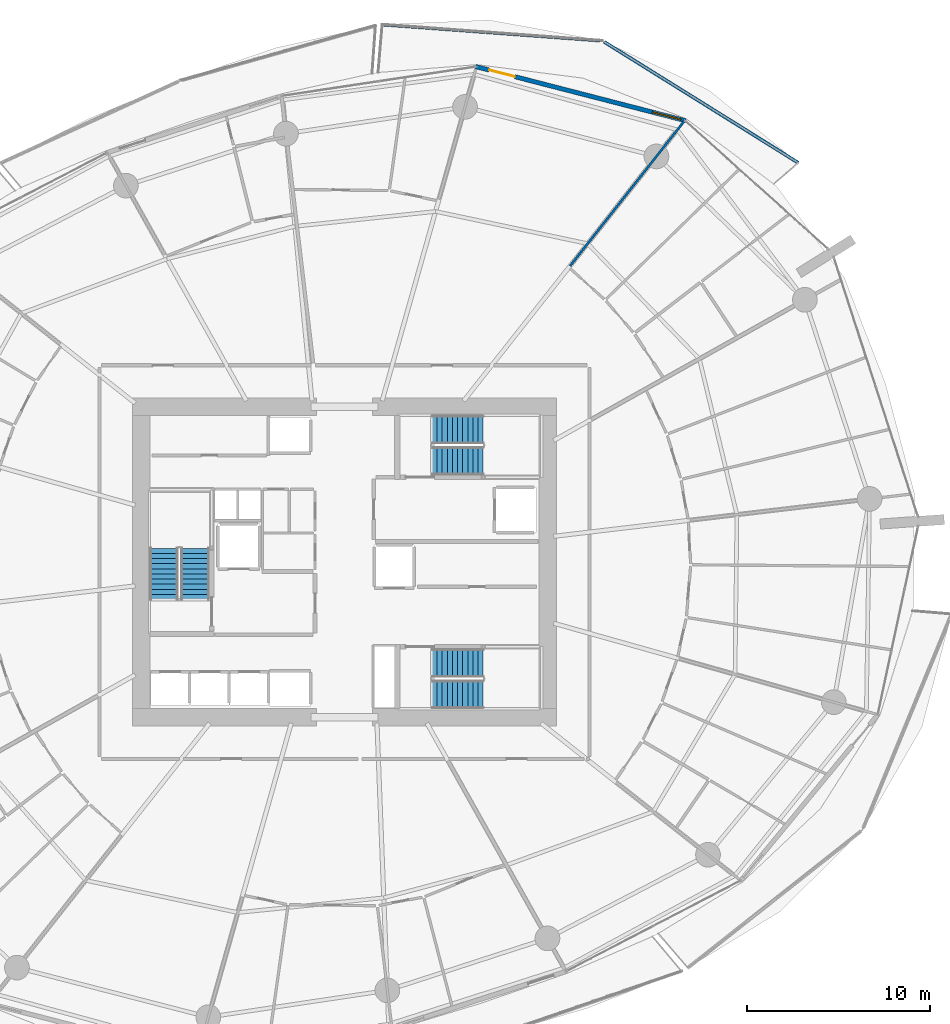
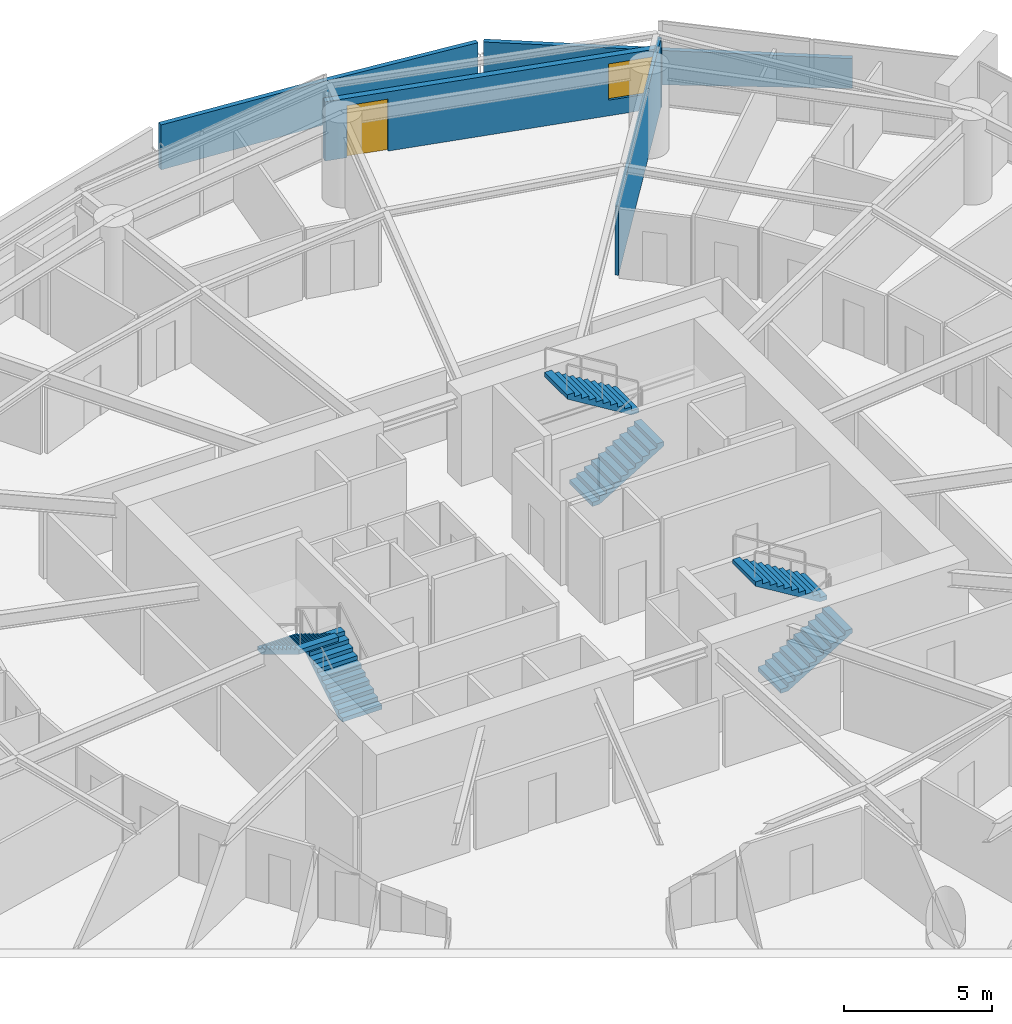
# One storey, part 25 of 32: 6 stair flights, 4 walls, 1 door, 1 window, 2 openings, 3 elements without a shape of their own.
"""IFC4 building model written with IfcOpenShell, lengths in metres."""

from ifc_helpers import new_model, si_unit, direction, frame, frame_2d, origin, place, context, subcontext, project, spatial, polyline, rectangle, outline, extrude, material, layer, layer_set, type_object, element, fill, aggregate, save


model = new_model("IFC4")

# Units and contexts
model_context = context("Model", 3, precision=1e-05, world=origin(), true_north=direction((0.0, 1.0)))
body_context = subcontext(model_context, "Body", "Model", "MODEL_VIEW")
ifc_project = project(units=[si_unit("LENGTHUNIT", "METRE"), si_unit("AREAUNIT", "SQUARE_METRE"), si_unit("VOLUMEUNIT", "CUBIC_METRE"), si_unit("PLANEANGLEUNIT", "RADIAN"), si_unit("MASSUNIT", "GRAM", prefix="KILO")], contexts=[model_context])

# Site, building, storey
site_placement = place(None, origin())
site = spatial("IfcSite", under=ifc_project, at=site_placement, CompositionType="ELEMENT")
building_placement = place(site_placement, origin())
building = spatial("IfcBuilding", under=site, at=building_placement, Name="Kazma Halo Residences", CompositionType="ELEMENT")
storey_placement = place(building_placement, frame((0.0, 0.0, 63.89990234375)))
storey = spatial("IfcBuildingStorey", under=building, at=storey_placement, Name="L15", CompositionType="ELEMENT", Elevation=63.89990234375)

# Walls
ifc_material_1 = material(Name="White Concrete C50/60 Balustrade", Category="concrete")
ifc_layer_1 = layer(ifc_material_1, 0.179931640625)
ifc_layer_set_1 = layer_set([ifc_layer_1], Name="White Concrete C50/60 Balustrade")
wall_type_1 = type_object("IfcWallType", Name="WL-BAL-WAVE-180", PredefinedType="PARAPET", material=ifc_layer_set_1)
wall_1_placement = place(storey_placement, frame((73.20751953125, 63.797119140625, 0.0), z_axis=(0.0, 0.0, 1.0), x_axis=(-0.848703588119, 0.52886881125, 0.0)))
element("IfcWall", 1, at=wall_1_placement, inside=storey, type_object=wall_type_1, Name="L15 white wave balustrade wall NE.1", PredefinedType="PARAPET", context=body_context, shape_type="SweptSolid", body=[
    extrude(outline(polyline([(0.0, 0.0), (12.4912109375, 0.0), (12.4912109375, 1.632080078125), (6.24560546875, 1.418212890625), (0.0, 1.233154296875), (0.0, 0.0)])), frame((0.0, 0.08984375, 0.0), z_axis=(0.0, -1.0, 0.0), x_axis=(1.0, 0.0, 0.0)), (0.0, 0.0, 1.0), 0.179931640625),
])
wall_2_placement = place(storey_placement, frame((62.384765625, 70.4755859375, 0.0), z_axis=(0.0, 0.0, 1.0), x_axis=(-0.997303550782, 0.073386835312, 0.0)))
element("IfcWall", 2, at=wall_2_placement, inside=storey, type_object=wall_type_1, Name="L15 white wave balustrade wall NE.2", PredefinedType="PARAPET", context=body_context, shape_type="SweptSolid", body=[
    extrude(outline(polyline([(0.0, 0.0), (11.926513671875, 0.0), (11.926513671875, 1.860107421875), (5.96337890625, 1.798095703125), (0.0, 1.632080078125), (0.0, 0.0)])), frame((0.0, 0.08984375, 0.0), z_axis=(0.0, -1.0, 0.0), x_axis=(1.0, 0.0, 0.0)), (0.0, 0.0, 1.0), 0.179931640625),
])

# Wall, openings, door, window
ifc_material_2 = material(Name="Insulated Pale-Metal Composite Wall")
ifc_layer_2 = layer(ifc_material_2, 0.239990234375)
ifc_layer_set_2 = layer_set([ifc_layer_2], Name="Insulated Pale-Metal Composite Wall")
wall_type_2 = type_object("IfcWallType", Name="WL-EXT-HOST-240", PredefinedType="SOLIDWALL", material=ifc_layer_set_2)
wall_3_placement = place(storey_placement, frame((67.05419921875, 66.09619140625, 0.0), z_axis=(0.0, 0.0, 1.0), x_axis=(-0.96833871487, 0.249640007378, 0.0)))
wall_3 = element("IfcWall", 3, at=wall_3_placement, inside=storey, type_object=wall_type_2, Name="L15 exterior terrace-access wall B02", PredefinedType="SOLIDWALL", context=body_context, shape_type="SweptSolid", body=[
    extrude(rectangle(XDim=11.85107421875, YDim=0.239990234375, at=frame_2d((5.925537109375, 0.0))), origin(), (0.0, 0.0, 1.0), 2.4501953125),
])
opening_1_placement = place(wall_3_placement, frame((9.631103515625, 0.0, 0.0)))
opening_1 = element("IfcOpeningElement", 4, at=opening_1_placement, cuts=wall_3, Name="Opening DTR-1600", PredefinedType="OPENING", context=body_context, shape_type="SweptSolid", body=[
    extrude(rectangle(XDim=1.449951171875, YDim=2.14990234375, at=frame_2d((0.72509765625, 1.074951171875))), frame((0.0, 0.1298828125, 0.0), z_axis=(0.0, -1.0, 0.0), x_axis=(1.0, 0.0, 0.0)), (0.0, 0.0, 1.0), 0.260009765625),
])
opening_2_placement = place(wall_3_placement, frame((0.280029296875, 0.0, 0.64990234375)))
opening_2 = element("IfcOpeningElement", 5, at=opening_2_placement, cuts=wall_3, Name="Opening W-1800", PredefinedType="OPENING", context=body_context, shape_type="SweptSolid", body=[
    extrude(rectangle(XDim=1.60009765625, YDim=1.5, at=frame_2d((0.800048828125, 0.75))), frame((0.0, 0.1298828125, 0.0), z_axis=(0.0, -1.0, 0.0), x_axis=(1.0, 0.0, 0.0)), (0.0, 0.0, 1.0), 0.260009765625),
])
ifc_material_3 = material(Name="Aluminium AW-6063 T6 Double-Glazed Terrace Door", Category="aluminium")
door_type = type_object("IfcDoorType", Name="DR-EXT-TERR-1600", OperationType="NOTDEFINED", PredefinedType="DOOR", material=ifc_material_3)
door_placement = place(opening_1_placement, origin())
door = element("IfcDoor", 6, at=door_placement, inside=storey, type_object=door_type, Name="L15 B02 balcony terrace door", OperationType="DOUBLE_DOOR_SLIDING", OverallHeight=2.14990234375, OverallWidth=1.449951171875, PredefinedType="DOOR", context=body_context, shape_type="SweptSolid", body=[
    extrude(rectangle(XDim=1.449951171875, YDim=2.14990234375, at=frame_2d((0.72509765625, 1.074951171875))), frame((0.0, 0.02490234375, 0.0), z_axis=(0.0, -1.0, 0.0), x_axis=(1.0, 0.0, 0.0)), (0.0, 0.0, 1.0), 0.050048828125),
])
fill(opening_1, door)
ifc_material_4 = material(Name="Clear Triple-Silver Low-E Glass in Aluminium AW-6063 T6 Frame", Category="aluminium")
window_type = type_object("IfcWindowType", Name="WIN-RES-1800", PartitioningType="DOUBLE_PANEL_VERTICAL", PredefinedType="WINDOW", material=ifc_material_4)
window_placement = place(opening_2_placement, origin())
window = element("IfcWindow", 7, at=window_placement, inside=storey, type_object=window_type, Name="L15 B02 apartment window", OverallHeight=1.5, OverallWidth=1.60009765625, PartitioningType="SINGLE_PANEL", PredefinedType="WINDOW", context=body_context, shape_type="SweptSolid", body=[
    extrude(rectangle(XDim=1.60009765625, YDim=1.5, at=frame_2d((0.800048828125, 0.75))), frame((0.0, 0.030029296875, 0.0), z_axis=(0.0, -1.0, 0.0), x_axis=(1.0, 0.0, 0.0)), (0.0, 0.0, 1.0), 0.06005859375),
])
fill(opening_2, window)

# Wall
ifc_material_5 = material(Name="Gypsum Plasterboard Partition")
ifc_layer_3 = layer(ifc_material_5, 0.125)
ifc_layer_set_3 = layer_set([ifc_layer_3], Name="Gypsum Plasterboard Partition")
wall_type_3 = type_object("IfcWallType", Name="WL-PART-125", PredefinedType="PARTITIONING", material=ifc_layer_set_3)
wall_4_placement = place(storey_placement, frame((60.742919921875, 58.1640625, 0.0), z_axis=(0.0, 0.0, 1.0), x_axis=(0.61907620874, 0.785330916093, 0.0)))
element("IfcWall", 8, at=wall_4_placement, inside=storey, type_object=wall_type_3, Name="L15 Apartment 4 living radial partition 0", PredefinedType="PARTITIONING", context=body_context, shape_type="SweptSolid", body=[
    extrude(rectangle(XDim=10.09130859375, YDim=0.125, at=frame_2d((5.045654296875, 0.0))), origin(), (0.0, 0.0, 1.0), 2.8671875),
])

# Stair, stair flights
ifc_material_6 = material(Name="Concrete C50/60", Category="concrete")
stair_type = type_object("IfcStairType", Name="STR-RES1", PredefinedType="HALF_TURN_STAIR", material=ifc_material_6)
stair_1_placement = place(storey_placement, origin())
stair_1 = element("IfcStair", 9, at=stair_1_placement, inside=storey, type_object=stair_type, Name="L15 Core exit stair ST-01", PredefinedType="HALF_TURN_STAIR")
stair_flight_type = type_object("IfcStairFlightType", Name="STR-RES1-FLT", PredefinedType="STRAIGHT", material=ifc_material_6)
stair_flight_1_placement = place(storey_placement, frame((40.27490234375, 39.949951171875, 0.0), z_axis=(0.0, 0.0, 1.0), x_axis=(0.0, 1.0, 0.0)))
stair_flight_1 = element("IfcStairFlight", 10, at=stair_flight_1_placement, type_object=stair_flight_type, Name="ST-01 flight 1", NumberOfRisers=11, NumberOfTreads=10, PredefinedType="STRAIGHT", RiserHeight=0.170454545, TreadLength=0.28, context=body_context, shape_type="SweptSolid", body=[
    extrude(outline(polyline([(0.0, 0.0), (0.0, 0.17041015625), (0.280029296875, 0.17041015625), (0.280029296875, 0.3408203125), (0.56005859375, 0.3408203125), (0.56005859375, 0.511474609375), (0.840087890625, 0.511474609375), (0.840087890625, 0.681884765625), (1.1201171875, 0.681884765625), (1.1201171875, 0.852294921875), (1.39990234375, 0.852294921875), (1.39990234375, 1.022705078125), (1.679931640625, 1.022705078125), (1.679931640625, 1.193115234375), (1.9599609375, 1.193115234375), (1.9599609375, 1.363525390625), (2.239990234375, 1.363525390625), (2.239990234375, 1.5341796875), (2.52001953125, 1.5341796875), (2.52001953125, 1.70458984375), (2.800048828125, 1.70458984375), (2.800048828125, 1.875), (2.800048828125, 1.529052734375), (0.288330078125, 0.0), (0.0, 0.0)])), frame((0.0, 0.77490234375, 0.0), z_axis=(0.0, -1.0, 0.0), x_axis=(1.0, 0.0, 0.0)), (0.0, 0.0, 1.0), 1.550048828125),
])
stair_flight_2_placement = place(storey_placement, frame((38.574951171875, 42.75, 1.875), z_axis=(0.0, 0.0, 1.0), x_axis=(0.0, -1.0, 0.0)))
stair_flight_2 = element("IfcStairFlight", 11, at=stair_flight_2_placement, type_object=stair_flight_type, Name="ST-01 flight 2", NumberOfRisers=11, NumberOfTreads=10, PredefinedType="STRAIGHT", RiserHeight=0.170454545, TreadLength=0.28, context=body_context, shape_type="SweptSolid", body=[
    extrude(outline(polyline([(0.0, 0.0), (0.0, 0.17041015625), (0.280029296875, 0.17041015625), (0.280029296875, 0.3408203125), (0.56005859375, 0.3408203125), (0.56005859375, 0.511474609375), (0.840087890625, 0.511474609375), (0.840087890625, 0.681884765625), (1.1201171875, 0.681884765625), (1.1201171875, 0.852294921875), (1.39990234375, 0.852294921875), (1.39990234375, 1.022705078125), (1.679931640625, 1.022705078125), (1.679931640625, 1.193115234375), (1.9599609375, 1.193115234375), (1.9599609375, 1.363525390625), (2.239990234375, 1.363525390625), (2.239990234375, 1.5341796875), (2.52001953125, 1.5341796875), (2.52001953125, 1.70458984375), (2.800048828125, 1.70458984375), (2.800048828125, 1.875), (2.800048828125, 1.529052734375), (0.288330078125, 0.0), (0.0, 0.0)])), frame((0.0, 0.77490234375, 0.0), z_axis=(0.0, -1.0, 0.0), x_axis=(1.0, 0.0, 0.0)), (0.0, 0.0, 1.0), 1.550048828125),
])
aggregate(stair_1, [stair_flight_1, stair_flight_2])

stair_2_placement = place(storey_placement, origin())
stair_2 = element("IfcStair", 12, at=stair_2_placement, inside=storey, type_object=stair_type, Name="L15 Core exit stair ST-02", PredefinedType="HALF_TURN_STAIR")
stair_flight_3_placement = place(storey_placement, frame((53.199951171875, 47.52490234375, 0.0), z_axis=(0.0, 0.0, 1.0), x_axis=(1.0, 0.0, 0.0)))
stair_flight_3 = element("IfcStairFlight", 13, at=stair_flight_3_placement, type_object=stair_flight_type, Name="ST-02 flight 1", NumberOfRisers=11, NumberOfTreads=10, PredefinedType="STRAIGHT", RiserHeight=0.170454545, TreadLength=0.28, context=body_context, shape_type="SweptSolid", body=[
    extrude(outline(polyline([(0.0, 0.0), (0.0, 0.17041015625), (0.280029296875, 0.17041015625), (0.280029296875, 0.3408203125), (0.56005859375, 0.3408203125), (0.56005859375, 0.511474609375), (0.840087890625, 0.511474609375), (0.840087890625, 0.681884765625), (1.1201171875, 0.681884765625), (1.1201171875, 0.852294921875), (1.39990234375, 0.852294921875), (1.39990234375, 1.022705078125), (1.679931640625, 1.022705078125), (1.679931640625, 1.193115234375), (1.9599609375, 1.193115234375), (1.9599609375, 1.363525390625), (2.239990234375, 1.363525390625), (2.239990234375, 1.5341796875), (2.52001953125, 1.5341796875), (2.52001953125, 1.70458984375), (2.800048828125, 1.70458984375), (2.800048828125, 1.875), (2.800048828125, 1.529052734375), (0.288330078125, 0.0), (0.0, 0.0)])), frame((0.0, 0.77490234375, 0.0), z_axis=(0.0, -1.0, 0.0), x_axis=(1.0, 0.0, 0.0)), (0.0, 0.0, 1.0), 1.550048828125),
])
stair_flight_4_placement = place(storey_placement, frame((56.0, 49.22509765625, 1.875), z_axis=(0.0, 0.0, 1.0), x_axis=(-1.0, 0.0, 0.0)))
stair_flight_4 = element("IfcStairFlight", 14, at=stair_flight_4_placement, type_object=stair_flight_type, Name="ST-02 flight 2", NumberOfRisers=11, NumberOfTreads=10, PredefinedType="STRAIGHT", RiserHeight=0.170454545, TreadLength=0.28, context=body_context, shape_type="SweptSolid", body=[
    extrude(outline(polyline([(0.0, 0.0), (0.0, 0.17041015625), (0.280029296875, 0.17041015625), (0.280029296875, 0.3408203125), (0.56005859375, 0.3408203125), (0.56005859375, 0.511474609375), (0.840087890625, 0.511474609375), (0.840087890625, 0.681884765625), (1.1201171875, 0.681884765625), (1.1201171875, 0.852294921875), (1.39990234375, 0.852294921875), (1.39990234375, 1.022705078125), (1.679931640625, 1.022705078125), (1.679931640625, 1.193115234375), (1.9599609375, 1.193115234375), (1.9599609375, 1.363525390625), (2.239990234375, 1.363525390625), (2.239990234375, 1.5341796875), (2.52001953125, 1.5341796875), (2.52001953125, 1.70458984375), (2.800048828125, 1.70458984375), (2.800048828125, 1.875), (2.800048828125, 1.529052734375), (0.288330078125, 0.0), (0.0, 0.0)])), frame((0.0, 0.77490234375, 0.0), z_axis=(0.0, -1.0, 0.0), x_axis=(1.0, 0.0, 0.0)), (0.0, 0.0, 1.0), 1.550048828125),
])
aggregate(stair_2, [stair_flight_3, stair_flight_4])

stair_3_placement = place(storey_placement, origin())
stair_3 = element("IfcStair", 15, at=stair_3_placement, inside=storey, type_object=stair_type, Name="L15 Core exit stair ST-03", PredefinedType="HALF_TURN_STAIR")
stair_flight_5_placement = place(storey_placement, frame((53.199951171875, 34.77490234375, 0.0), z_axis=(0.0, 0.0, 1.0), x_axis=(1.0, 0.0, 0.0)))
stair_flight_5 = element("IfcStairFlight", 16, at=stair_flight_5_placement, type_object=stair_flight_type, Name="ST-03 flight 1", NumberOfRisers=11, NumberOfTreads=10, PredefinedType="STRAIGHT", RiserHeight=0.170454545, TreadLength=0.28, context=body_context, shape_type="SweptSolid", body=[
    extrude(outline(polyline([(0.0, 0.0), (0.0, 0.17041015625), (0.280029296875, 0.17041015625), (0.280029296875, 0.3408203125), (0.56005859375, 0.3408203125), (0.56005859375, 0.511474609375), (0.840087890625, 0.511474609375), (0.840087890625, 0.681884765625), (1.1201171875, 0.681884765625), (1.1201171875, 0.852294921875), (1.39990234375, 0.852294921875), (1.39990234375, 1.022705078125), (1.679931640625, 1.022705078125), (1.679931640625, 1.193115234375), (1.9599609375, 1.193115234375), (1.9599609375, 1.363525390625), (2.239990234375, 1.363525390625), (2.239990234375, 1.5341796875), (2.52001953125, 1.5341796875), (2.52001953125, 1.70458984375), (2.800048828125, 1.70458984375), (2.800048828125, 1.875), (2.800048828125, 1.529052734375), (0.288330078125, 0.0), (0.0, 0.0)])), frame((0.0, 0.77490234375, 0.0), z_axis=(0.0, -1.0, 0.0), x_axis=(1.0, 0.0, 0.0)), (0.0, 0.0, 1.0), 1.550048828125),
])
stair_flight_6_placement = place(storey_placement, frame((56.0, 36.47509765625, 1.875), z_axis=(0.0, 0.0, 1.0), x_axis=(-1.0, 0.0, 0.0)))
stair_flight_6 = element("IfcStairFlight", 17, at=stair_flight_6_placement, type_object=stair_flight_type, Name="ST-03 flight 2", NumberOfRisers=11, NumberOfTreads=10, PredefinedType="STRAIGHT", RiserHeight=0.170454545, TreadLength=0.28, context=body_context, shape_type="SweptSolid", body=[
    extrude(outline(polyline([(0.0, 0.0), (0.0, 0.17041015625), (0.280029296875, 0.17041015625), (0.280029296875, 0.3408203125), (0.56005859375, 0.3408203125), (0.56005859375, 0.511474609375), (0.840087890625, 0.511474609375), (0.840087890625, 0.681884765625), (1.1201171875, 0.681884765625), (1.1201171875, 0.852294921875), (1.39990234375, 0.852294921875), (1.39990234375, 1.022705078125), (1.679931640625, 1.022705078125), (1.679931640625, 1.193115234375), (1.9599609375, 1.193115234375), (1.9599609375, 1.363525390625), (2.239990234375, 1.363525390625), (2.239990234375, 1.5341796875), (2.52001953125, 1.5341796875), (2.52001953125, 1.70458984375), (2.800048828125, 1.70458984375), (2.800048828125, 1.875), (2.800048828125, 1.529052734375), (0.288330078125, 0.0), (0.0, 0.0)])), frame((0.0, 0.77490234375, 0.0), z_axis=(0.0, -1.0, 0.0), x_axis=(1.0, 0.0, 0.0)), (0.0, 0.0, 1.0), 1.550048828125),
])
aggregate(stair_3, [stair_flight_5, stair_flight_6])

save(model, "model.ifc")
